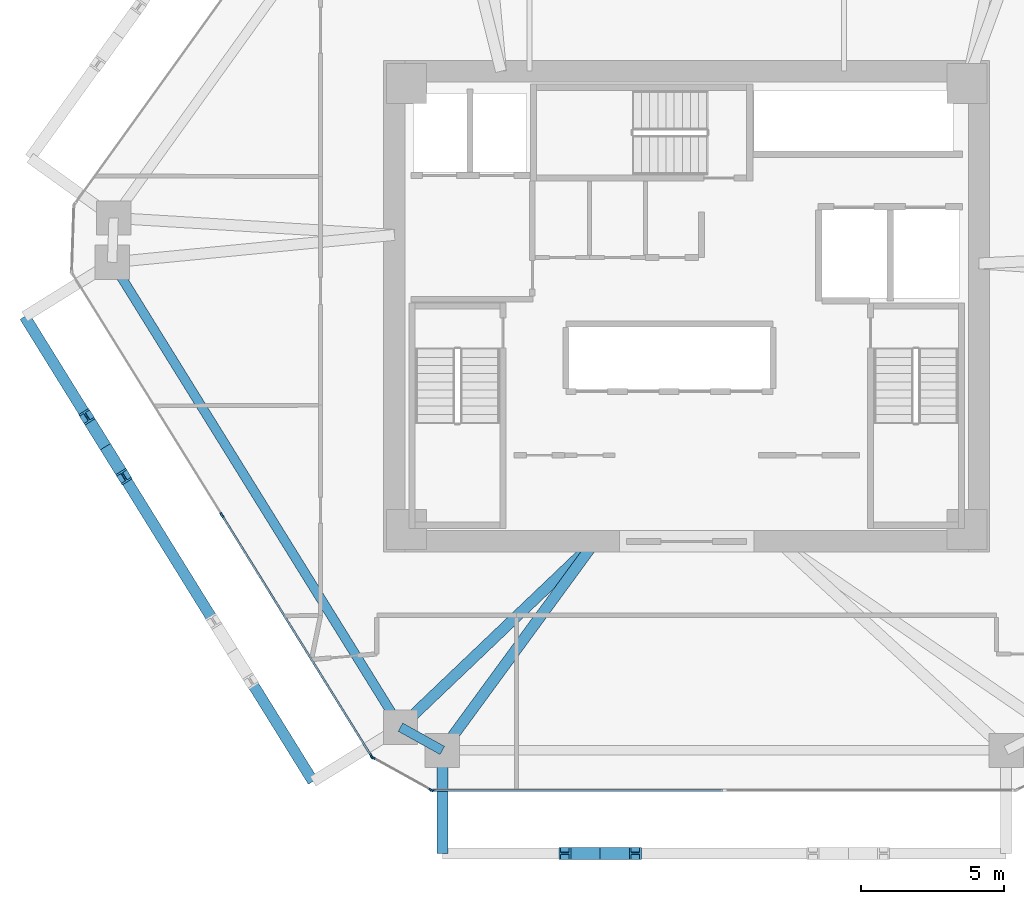
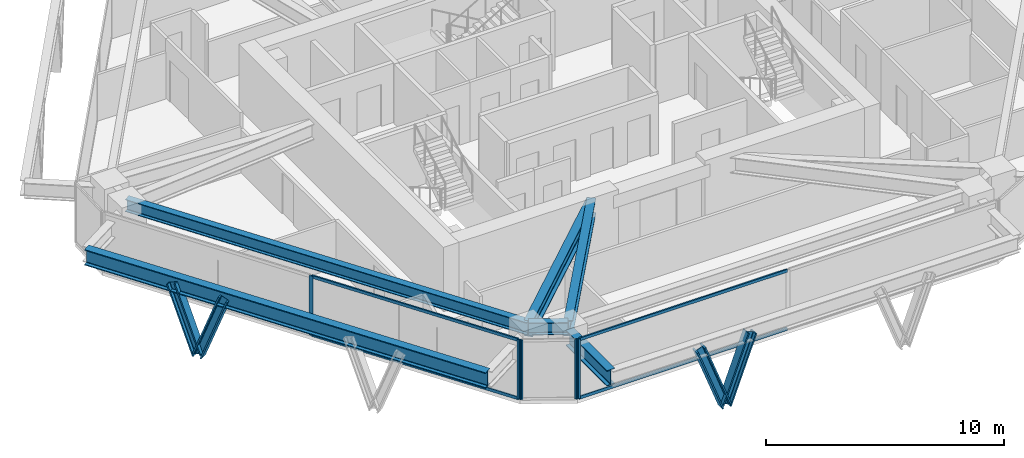
# One storey, part 2 of 13: 13 members, 6 beams, 3 elements without a shape of their own.
"""IFC4 building model written with IfcOpenShell, lengths in metres."""

import ifcopenshell
import ifcopenshell.guid

model = None  # the IFC model being written
_history = None  # IfcOwnerHistory: only IFC2X3 demands one
_inside = {}  # id of a spatial element -> (the spatial element, [elements in it])
_under = {}  # id of a project, library or spatial element -> (it, [spatial elements below it])
_declared = {}  # id of a project -> (the project, [libraries it declares])
_typed = {}  # id of a type object -> (the type object, [elements of that type])
_made_of = {}  # id of a material, layer set ... -> (it, [elements and type objects made of it])


def new_model(schema):
    """Start an empty IFC model of exactly this schema.

    Asked for "IFC4X3", IfcOpenShell would pick the latest addendum, in which some entities
    have other attributes; the version numbers below select the first issue.
    IFC2X3 requires an IfcOwnerHistory on every rooted entity: one is made here for all.
    """
    global model, _history
    if schema == "IFC4X3":
        model = ifcopenshell.file(schema_version=(4, 3, 0, 0))
    else:
        model = ifcopenshell.file(schema=schema)
    _inside.clear()
    _under.clear()
    _declared.clear()
    _typed.clear()
    _made_of.clear()
    _history = None
    if model.schema == "IFC2X3":
        org = make("IfcOrganization", Name="unknown")
        user = make(
            "IfcPersonAndOrganization",
            ThePerson=make("IfcPerson", FamilyName="unknown"),
            TheOrganization=org,
        )
        app = make(
            "IfcApplication",
            ApplicationDeveloper=org,
            Version="unknown",
            ApplicationFullName="unknown",
            ApplicationIdentifier="unknown",
        )
        _history = make(
            "IfcOwnerHistory",
            OwningUser=user,
            OwningApplication=app,
            ChangeAction="ADDED",
            CreationDate=0,
        )
    return model


def make(cls, **values):
    """One entity of the class cls with the attributes given. An attribute that is None is left unset."""
    return model.create_entity(
        cls, **{name: value for name, value in values.items() if value is not None}
    )


def rooted(cls, **values):
    """An entity with a GlobalId (a new one), such as an element, a storey or a relation."""
    return make(cls, GlobalId=ifcopenshell.guid.new(), OwnerHistory=_history, **values)


def si_unit(unit_type, name, prefix=None):
    """IfcSIUnit, for example si_unit("LENGTHUNIT", "METRE", prefix="MILLI")."""
    return make("IfcSIUnit", UnitType=unit_type, Prefix=prefix, Name=name)


def assignment(units):
    """IfcUnitAssignment: the units of a project."""
    return None if units is None else make("IfcUnitAssignment", Units=units)


def point(xyz):
    """IfcCartesianPoint."""
    return None if xyz is None else make("IfcCartesianPoint", Coordinates=xyz)


def direction(xyz):
    """IfcDirection."""
    return None if xyz is None else make("IfcDirection", DirectionRatios=xyz)


def frame(location, z_axis=None, x_axis=None):
    """IfcAxis2Placement3D, a coordinate frame: its origin and axes. An axis left out is left unset."""
    return make(
        "IfcAxis2Placement3D",
        Location=point(location),
        Axis=direction(z_axis),
        RefDirection=direction(x_axis),
    )


def frame_2d(location, x_axis=None):
    """IfcAxis2Placement2D, a coordinate frame in the plane: its origin and x axis."""
    return make(
        "IfcAxis2Placement2D", Location=point(location), RefDirection=direction(x_axis)
    )


def origin():
    """The frame at (0, 0, 0) with its axes left unset."""
    return frame((0.0, 0.0, 0.0))


def origin_2d():
    """The frame at (0, 0) in the plane with its x axis left unset."""
    return frame_2d((0.0, 0.0))


def place(relative_to, where):
    """IfcLocalPlacement: puts the frame where relative to a parent placement (None: the world)."""
    return make(
        "IfcLocalPlacement", PlacementRelTo=relative_to, RelativePlacement=where
    )


def context(
    kind, dimensions, precision=None, world=None, true_north=None, identifier=None
):
    """IfcGeometricRepresentationContext, for example the 3D "Model" context."""
    return make(
        "IfcGeometricRepresentationContext",
        ContextIdentifier=identifier,
        ContextType=kind,
        CoordinateSpaceDimension=dimensions,
        Precision=precision,
        WorldCoordinateSystem=world,
        TrueNorth=true_north,
    )


def subcontext(parent, identifier, kind, view, scale=None):
    """IfcGeometricRepresentationSubContext, for example "Body" below "Model"."""
    return make(
        "IfcGeometricRepresentationSubContext",
        ContextIdentifier=identifier,
        ContextType=kind,
        ParentContext=parent,
        TargetScale=scale,
        TargetView=view,
    )


def project(units=None, contexts=None):
    """IfcProject with its units and contexts."""
    return rooted(
        "IfcProject",
        Name="project",
        RepresentationContexts=contexts,
        UnitsInContext=assignment(units),
    )


def spatial(cls, under=None, at=None, **own):
    """A site, building, storey or space (cls), placed at a placement, below another one or the project."""
    s = rooted(cls, ObjectPlacement=at, **own)
    if under is not None:
        _under.setdefault(under.id(), (under, []))[1].append(s)
    return s


def profile(cls, at=None, kind="AREA", **sizes):
    """A parametric profile (cls). Its sizes go by their IFC names, for example OverallWidth=200.0."""
    return make(cls, ProfileType=kind, Position=at, **sizes)


def rectangle(**sizes):
    """IfcRectangleProfileDef."""
    return profile("IfcRectangleProfileDef", **sizes)


def i_section(**sizes):
    """IfcIShapeProfileDef."""
    return profile("IfcIShapeProfileDef", **sizes)


def extrude(swept, where, along, depth):
    """IfcExtrudedAreaSolid: the profile swept, set in the frame where, extruded along a direction by depth."""
    return make(
        "IfcExtrudedAreaSolid",
        SweptArea=swept,
        Position=where,
        ExtrudedDirection=direction(along),
        Depth=depth,
    )


def shape(context_of_items, identifier, shape_type, items):
    """IfcShapeRepresentation: the items that make up one representation, for example the "Body"."""
    return make(
        "IfcShapeRepresentation",
        ContextOfItems=context_of_items,
        RepresentationIdentifier=identifier,
        RepresentationType=shape_type,
        Items=items,
    )


def source(mapping_origin, context_of_items, identifier, shape_type, items):
    """IfcRepresentationMap: a shape defined once, which mapped items show again and again."""
    return make(
        "IfcRepresentationMap",
        MappingOrigin=mapping_origin,
        MappedRepresentation=shape(context_of_items, identifier, shape_type, items),
    )


def transform(
    local_origin,
    x_axis=None,
    y_axis=None,
    z_axis=None,
    scale=None,
    scale2=None,
    scale3=None,
    uniform=True,
):
    """IfcCartesianTransformationOperator3D, or its non-uniform kind. x_axis, y_axis, z_axis: its Axis1, 2, 3."""
    if uniform:
        return make(
            "IfcCartesianTransformationOperator3D",
            Axis1=direction(x_axis),
            Axis2=direction(y_axis),
            LocalOrigin=point(local_origin),
            Scale=scale,
            Axis3=direction(z_axis),
        )
    return make(
        "IfcCartesianTransformationOperator3DnonUniform",
        Axis1=direction(x_axis),
        Axis2=direction(y_axis),
        LocalOrigin=point(local_origin),
        Scale=scale,
        Axis3=direction(z_axis),
        Scale2=scale2,
        Scale3=scale3,
    )


def mapped(mapping_source, mapping_target):
    """IfcMappedItem: shows the shape of a source again, moved by a transform."""
    return make(
        "IfcMappedItem", MappingSource=mapping_source, MappingTarget=mapping_target
    )


def material(Name=None, Category=None):
    """IfcMaterial."""
    return make("IfcMaterial", Name=Name, Category=Category)


def layer(
    of_material, thickness, ventilated=None, Name=None, Category=None, Priority=None
):
    """IfcMaterialLayer: one layer of a wall or slab, of a material (None: an air gap)."""
    return make(
        "IfcMaterialLayer",
        Material=of_material,
        LayerThickness=thickness,
        IsVentilated=ventilated,
        Name=Name,
        Category=Category,
        Priority=Priority,
    )


def layer_set(layers, Name=None):
    """IfcMaterialLayerSet."""
    return make("IfcMaterialLayerSet", MaterialLayers=layers, LayerSetName=Name)


def material_profile(
    of_material, cross_section, Name=None, Category=None, Priority=None
):
    """IfcMaterialProfile: a cross section and its material."""
    return make(
        "IfcMaterialProfile",
        Name=Name,
        Material=of_material,
        Profile=cross_section,
        Priority=Priority,
        Category=Category,
    )


def profile_set(profiles, Name=None, composite=None):
    """IfcMaterialProfileSet."""
    return make(
        "IfcMaterialProfileSet",
        Name=Name,
        MaterialProfiles=profiles,
        CompositeProfile=composite,
    )


def made_of(thing, what):
    """Note that an element or type object is made of a material, layer set ...; save() writes the relation."""
    if what is not None:
        _made_of.setdefault(what.id(), (what, []))[1].append(thing)
    return thing


def type_object(cls, material=None, **own):
    """A type object (cls), such as IfcWallType, which elements share."""
    return made_of(rooted(cls, **own), material)


def type_shapes(of_type, sources):
    """Give a type object the sources (RepresentationMaps) that its elements show as mapped items."""
    of_type.RepresentationMaps = sources


def element(
    cls,
    number,
    at=None,
    inside=None,
    cuts=None,
    type_object=None,
    material=None,
    context=None,
    identifier="Body",
    shape_type=None,
    held_by="IfcProductDefinitionShape",
    body=None,
    shapes=None,
    **own,
):
    """One element of the class cls, such as IfcWall. Its Tag is "e" and its number.

    at: its placement. inside: the storey or other place that contains it. cuts: it is an
    opening in that element (IfcRelVoidsElement). A single representation is given by context,
    identifier, shape_type and body (its items); several are given by shapes. held_by: the class
    of the entity that holds the representations. save() writes the other relations.
    """
    e = rooted(cls, Tag="e%d" % number, ObjectPlacement=at, **own)
    if body is not None:
        shapes = [shape(context, identifier, shape_type, body)]
    if shapes is not None:
        e.Representation = make(held_by, Representations=shapes)
    if inside is not None:
        _inside.setdefault(inside.id(), (inside, []))[1].append(e)
    if cuts is not None:
        rooted(
            "IfcRelVoidsElement", RelatingBuildingElement=cuts, RelatedOpeningElement=e
        )
    if type_object is not None:
        _typed.setdefault(type_object.id(), (type_object, []))[1].append(e)
    return made_of(e, material)


def aggregate(whole, parts):
    """IfcRelAggregates: a whole, such as a stair, and the parts it consists of."""
    return rooted("IfcRelAggregates", RelatingObject=whole, RelatedObjects=parts)


def save(model, path):
    """Write the relations noted so far, then the file.

    IfcRelAggregates (storeys below a building ...), IfcRelContainedInSpatialStructure (elements
    in a storey), IfcRelDefinesByType, IfcRelAssociatesMaterial and IfcRelDeclares: one each for
    every whole, place, type object, material and project.
    """
    for whole, parts in _under.values():
        aggregate(whole, parts)
    for where, things in _inside.values():
        rooted(
            "IfcRelContainedInSpatialStructure",
            RelatedElements=things,
            RelatingStructure=where,
        )
    for kind, things in _typed.values():
        rooted("IfcRelDefinesByType", RelatedObjects=things, RelatingType=kind)
    for what, things in _made_of.values():
        rooted("IfcRelAssociatesMaterial", RelatedObjects=things, RelatingMaterial=what)
    for by, libraries in _declared.values():
        rooted("IfcRelDeclares", RelatingContext=by, RelatedDefinitions=libraries)
    model.write(path)


model = new_model("IFC4")

# Units and contexts
model_context = context("Model", 3, precision=1e-05, world=origin(), true_north=direction((0.0, 1.0)))
body_context = subcontext(model_context, "Body", "Model", "MODEL_VIEW")
ifc_project = project(units=[si_unit("LENGTHUNIT", "METRE"), si_unit("AREAUNIT", "SQUARE_METRE"), si_unit("VOLUMEUNIT", "CUBIC_METRE"), si_unit("PLANEANGLEUNIT", "RADIAN"), si_unit("MASSUNIT", "GRAM", prefix="KILO")], contexts=[model_context])

# Site, building, storey
site_placement = place(None, origin())
site = spatial("IfcSite", under=ifc_project, at=site_placement, CompositionType="ELEMENT")
building_placement = place(site_placement, origin())
building = spatial("IfcBuilding", under=site, at=building_placement, Name="Durnholm Broadcast Tower", CompositionType="ELEMENT")
storey_placement = place(building_placement, frame((0.0, 0.0, 133.800048828125)))
storey = spatial("IfcBuildingStorey", under=building, at=storey_placement, Name="L36", CompositionType="ELEMENT", Elevation=133.800048828125)

# Beams
ifc_material_1 = material(Name="Steel ASTM A992 Grade 50", Category="steel")
ifc_material_profile_1 = material_profile(ifc_material_1, i_section(OverallWidth=0.385009765625, OverallDepth=0.802978515625, WebThickness=0.023681640625, FlangeThickness=0.0419921875, FilletRadius=0.032958984375, at=origin_2d()), Name="W30X261")
ifc_profile_set_1 = profile_set([ifc_material_profile_1], Name="Steel ASTM A992 Grade 50")
beam_type_1 = type_object("IfcBeamType", Name="BM-EXO-TIE", PredefinedType="USERDEFINED", material=ifc_profile_set_1)
shared_shape_1 = source(origin(), body_context, "Body", "SweptSolid", [
    extrude(i_section(OverallWidth=0.385009765625, OverallDepth=0.802978515625, WebThickness=0.023681640625, FlangeThickness=0.0419921875, FilletRadius=0.032958984375, at=origin_2d()), origin(), (0.0, 0.0, 1.0), 3.4560546875),
])
beam_1_placement = place(storey_placement, frame((-8.552001953125, -15.680908203125, 2.30859375), z_axis=(0.0, -1.0, 0.0), x_axis=(1.0, 0.0, 0.0)))
element("IfcBeam", 1, at=beam_1_placement, inside=storey, type_object=beam_type_1, Name="L36 exoskeleton stand-off tie bracket F1.1", ObjectType="GIRDER", PredefinedType="USERDEFINED", context=body_context, shape_type="MappedRepresentation", body=[
    mapped(shared_shape_1, transform((0.0, 0.0, 0.0), x_axis=(1.0, 0.0, 0.0), y_axis=(0.0, 1.0, 0.0), z_axis=(0.0, 0.0, 1.0), scale=1.0)),
])
ifc_material_profile_2 = material_profile(ifc_material_1, i_section(OverallWidth=0.3291015625, OverallDepth=0.635009765625, WebThickness=0.017822265625, FlangeThickness=0.031005859375, FilletRadius=0.02783203125, at=origin_2d()), Name="W24X162")
ifc_profile_set_2 = profile_set([ifc_material_profile_2], Name="Steel ASTM A992 Grade 50")
beam_type_2 = type_object("IfcBeamType", Name="STL-SP-W24X162", PredefinedType="SPANDREL", material=ifc_profile_set_2)
shared_shape_2 = source(origin(), body_context, "Body", "SweptSolid", [
    extrude(i_section(OverallWidth=0.3291015625, OverallDepth=0.635009765625, WebThickness=0.017822265625, FlangeThickness=0.031005859375, FilletRadius=0.02783203125, at=origin_2d()), origin(), (0.0, 0.0, 1.0), 19.1396484375),
])
beam_2_placement = place(storey_placement, frame((-10.01416015625, -14.723388671875, 2.7275390625), z_axis=(-0.527105324954, 0.849799962582, 0.0), x_axis=(-0.849799962582, -0.527105324954, 0.0)))
element("IfcBeam", 2, at=beam_2_placement, inside=storey, type_object=beam_type_2, Name="L36 perimeter spandrel girder 01", PredefinedType="SPANDREL", context=body_context, shape_type="MappedRepresentation", body=[
    mapped(shared_shape_2, transform((0.0, 0.0, 0.0), x_axis=(1.0, 0.0, 0.0), y_axis=(0.0, 1.0, 0.0), z_axis=(0.0, 0.0, 1.0), scale=1.0)),
])
shared_shape_3 = source(origin(), body_context, "Body", "SweptSolid", [
    extrude(i_section(OverallWidth=0.3291015625, OverallDepth=0.635009765625, WebThickness=0.017822265625, FlangeThickness=0.031005859375, FilletRadius=0.02783203125, at=origin_2d()), origin(), (0.0, 0.0, 1.0), 1.67333984375),
])
type_shapes(beam_type_2, [shared_shape_2, shared_shape_3])
beam_3_placement = place(storey_placement, frame((-8.552001953125, -15.537109375, 2.7275390625), z_axis=(-0.873799169188, 0.486286964586, 0.0), x_axis=(-0.486286964586, -0.873799169188, 0.0)))
element("IfcBeam", 3, at=beam_3_placement, inside=storey, type_object=beam_type_2, Name="L36 perimeter spandrel girder 12", PredefinedType="SPANDREL", context=body_context, shape_type="MappedRepresentation", body=[
    mapped(shared_shape_3, transform((0.0, 0.0, 0.0), x_axis=(1.0, 0.0, 0.0), y_axis=(0.0, 1.0, 0.0), z_axis=(0.0, 0.0, 1.0), scale=1.0)),
])
ifc_material_profile_3 = material_profile(ifc_material_1, i_section(OverallWidth=0.385009765625, OverallDepth=0.802978515625, WebThickness=0.023681640625, FlangeThickness=0.0419921875, FilletRadius=0.032958984375, at=origin_2d()), Name="W30X261")
ifc_profile_set_3 = profile_set([ifc_material_profile_3], Name="Steel ASTM A992 Grade 50")
beam_type_3 = type_object("IfcBeamType", Name="STL-GR-W30X261", PredefinedType="USERDEFINED", material=ifc_profile_set_3)
shared_shape_4 = source(origin(), body_context, "Body", "SweptSolid", [
    extrude(i_section(OverallWidth=0.385009765625, OverallDepth=0.802978515625, WebThickness=0.023681640625, FlangeThickness=0.0419921875, FilletRadius=0.032958984375, at=origin_2d()), origin(), (0.0, 0.0, 1.0), 9.416015625),
])
beam_4_placement = place(storey_placement, frame((-3.199951171875, -8.22509765625, 2.6435546875), z_axis=(-0.723683335801, -0.690132182617, 0.0), x_axis=(0.690132182617, -0.723683335801, 0.0)))
element("IfcBeam", 4, at=beam_4_placement, inside=storey, type_object=beam_type_3, Name="L36 radial primary floor girder 01", ObjectType="GIRDER", PredefinedType="USERDEFINED", context=body_context, shape_type="MappedRepresentation", body=[
    mapped(shared_shape_4, transform((0.0, 0.0, 0.0), x_axis=(1.0, 0.0, 0.0), y_axis=(0.0, 1.0, 0.0), z_axis=(0.0, 0.0, 1.0), scale=1.0)),
])
shared_shape_5 = source(origin(), body_context, "Body", "SweptSolid", [
    extrude(i_section(OverallWidth=0.385009765625, OverallDepth=0.802978515625, WebThickness=0.023681640625, FlangeThickness=0.0419921875, FilletRadius=0.032958984375, at=origin_2d()), origin(), (0.0, 0.0, 1.0), 9.0615234375),
])
type_shapes(beam_type_3, [shared_shape_4, shared_shape_5])
beam_5_placement = place(storey_placement, frame((-3.199951171875, -8.22509765625, 2.6435546875), z_axis=(-0.590639241086, -0.806935739008, 0.0), x_axis=(0.806935739008, -0.590639241086, 0.0)))
element("IfcBeam", 5, at=beam_5_placement, inside=storey, type_object=beam_type_3, Name="L36 radial primary floor girder 12", ObjectType="GIRDER", PredefinedType="USERDEFINED", context=body_context, shape_type="MappedRepresentation", body=[
    mapped(shared_shape_5, transform((0.0, 0.0, 0.0), x_axis=(1.0, 0.0, 0.0), y_axis=(0.0, 1.0, 0.0), z_axis=(0.0, 0.0, 1.0), scale=1.0)),
])
shared_shape_6 = source(origin(), body_context, "Body", "SweptSolid", [
    extrude(i_section(OverallWidth=0.385009765625, OverallDepth=0.802978515625, WebThickness=0.023681640625, FlangeThickness=0.0419921875, FilletRadius=0.032958984375, at=origin_2d()), origin(), (0.0, 0.0, 1.0), 19.139404296875),
])
type_shapes(beam_type_1, [shared_shape_1, shared_shape_6])
beam_6_placement = place(storey_placement, frame((-23.162109375, -0.356201171875, 2.30859375), z_axis=(0.527111038734, -0.84979641847, 0.0), x_axis=(0.84979641847, 0.527111038734, 0.0)))
element("IfcBeam", 6, at=beam_6_placement, inside=storey, type_object=beam_type_1, Name="L36 exoskeleton collector spandrel F6", PredefinedType="SPANDREL", context=body_context, shape_type="MappedRepresentation", body=[
    mapped(shared_shape_6, transform((0.0, 0.0, 0.0), x_axis=(1.0, 0.0, 0.0), y_axis=(0.0, 1.0, 0.0), z_axis=(0.0, 0.0, 1.0), scale=1.0)),
])

# Members
ifc_material_2 = material(Name="Steel ASTM A913 Grade 65", Category="steel")
ifc_material_profile_4 = material_profile(ifc_material_2, i_section(OverallWidth=0.41845703125, OverallDepth=0.455078125, WebThickness=0.0419921875, FlangeThickness=0.067626953125, FilletRadius=0.030517578125, at=origin_2d()), Name="W14X370")
ifc_profile_set_4 = profile_set([ifc_material_profile_4], Name="Steel ASTM A913 Grade 65")
member_type_1 = type_object("IfcMemberType", Name="STL-DG-W14X370", PredefinedType="BRACE", material=ifc_profile_set_4)
shared_shape_7 = source(origin(), body_context, "Body", "SweptSolid", [
    extrude(i_section(OverallWidth=0.41845703125, OverallDepth=0.455078125, WebThickness=0.0419921875, FlangeThickness=0.067626953125, FilletRadius=0.030517578125, at=origin_2d()), origin(), (0.0, 0.0, 1.0), 3.523193359375),
])
type_shapes(member_type_1, [shared_shape_7])
for number, where, z_axis, x_axis, name in (
    (7, (-3.028076171875, -19.136962890625, -0.991455078125), (-0.350219588454, 0.0, 0.936667625075), (0.0, -1.0, 0.0), "L36 stand-off diagrid brace F1.D1.1"),
    (8, (-3.028076171875, -19.136962890625, -0.991455078125), (0.350219588454, 0.0, 0.936667625075), (0.0, 1.0, 0.0), "L36 stand-off diagrid brace F1.D1.2"),
    (9, (-20.337158203125, -4.910400390625, -0.991455078125), (-0.184602835855, 0.297623566065, 0.936665364961), (-0.849805205368, -0.527096872433, 0.0), "L36 stand-off diagrid brace F6.D1.1"),
    (10, (-20.337158203125, -4.910400390625, -0.991455078125), (0.184606642766, -0.297560406921, 0.936684681032), (0.849750220063, 0.527185511469, 0.0), "L36 stand-off diagrid brace F6.D1.2"),
):
    element("IfcMember", number, at=place(storey_placement, frame(where, z_axis=z_axis, x_axis=x_axis)), inside=storey, type_object=member_type_1, Name=name, PredefinedType="BRACE", context=body_context, shape_type="MappedRepresentation", body=[
        mapped(shared_shape_7, transform((0.0, 0.0, 0.0), x_axis=(1.0, 0.0, 0.0), y_axis=(0.0, 1.0, 0.0), z_axis=(0.0, 0.0, 1.0), scale=1.0)),
    ])

# Curtain wall, members
ifc_material_3 = material(Name="Aluminium and Solar Control IGU", Category="aluminium")
ifc_layer_1 = layer(ifc_material_3, 0.1650390625)
ifc_layer_set_1 = layer_set([ifc_layer_1], Name="Aluminium and Solar Control IGU")
curtain_wall_type_1 = type_object("IfcCurtainWallType", Name="CW-SYS-5", PredefinedType="NOTDEFINED", material=ifc_layer_set_1)
curtain_wall_1_placement = place(storey_placement, origin())
curtain_wall_1 = element("IfcCurtainWall", 11, at=curtain_wall_1_placement, inside=storey, type_object=curtain_wall_type_1, Name="L36 curtain wall CW-CORNER CW-L36-CRN-11", PredefinedType="NOTDEFINED")
ifc_material_4 = material(Name="Aluminium 6063-T6", Category="aluminium")
ifc_material_profile_5 = material_profile(ifc_material_4, rectangle(XDim=0.06494140625, YDim=0.1650390625, at=origin_2d()), Name="CWM65X165")
ifc_profile_set_5 = profile_set([ifc_material_profile_5], Name="Aluminium 6063-T6")
member_type_2 = type_object("IfcMemberType", Name="CW-SYS-5-MUL", PredefinedType="MULLION", material=ifc_profile_set_5)
shared_shape_8 = source(origin(), body_context, "Body", "SweptSolid", [
    extrude(rectangle(XDim=0.06494140625, YDim=0.1650390625, at=origin_2d()), origin(), (0.0, 0.0, 1.0), 3.06005859375),
])
type_shapes(member_type_2, [shared_shape_8])
member_1_placement = place(storey_placement, frame((-8.943603515625, -16.921142578125, 0.0), z_axis=(0.0, 0.0, 1.0), x_axis=(-0.486244224192, -0.873822953715, 0.0)))
member_1 = element("IfcMember", 12, at=member_1_placement, type_object=member_type_2, Name="CW-CORNER mullion 1", PredefinedType="MULLION", context=body_context, shape_type="MappedRepresentation", body=[
    mapped(shared_shape_8, transform((0.0, 0.0, 0.0), x_axis=(1.0, 0.0, 0.0), y_axis=(0.0, 1.0, 0.0), z_axis=(0.0, 0.0, 1.0), scale=1.0)),
])
member_2_placement = place(storey_placement, frame((-10.98388671875, -15.785888671875, 0.0), z_axis=(0.0, 0.0, 1.0), x_axis=(-0.486244224192, -0.873822953715, 0.0)))
member_2 = element("IfcMember", 13, at=member_2_placement, type_object=member_type_2, Name="CW-CORNER mullion 2", PredefinedType="MULLION", context=body_context, shape_type="MappedRepresentation", body=[
    mapped(shared_shape_8, transform((0.0, 0.0, 0.0), x_axis=(1.0, 0.0, 0.0), y_axis=(0.0, 1.0, 0.0), z_axis=(0.0, 0.0, 1.0), scale=1.0)),
])
aggregate(curtain_wall_1, [member_1, member_2])

# Curtain wall, member
ifc_layer_2 = layer(ifc_material_3, 0.18994140625)
ifc_layer_set_2 = layer_set([ifc_layer_2], Name="Aluminium and Solar Control IGU")
curtain_wall_type_2 = type_object("IfcCurtainWallType", Name="CW-SYS-3", PredefinedType="NOTDEFINED", material=ifc_layer_set_2)
curtain_wall_2_placement = place(storey_placement, origin())
curtain_wall_2 = element("IfcCurtainWall", 14, at=curtain_wall_2_placement, inside=storey, type_object=curtain_wall_type_2, Name="L36 curtain wall CW-Z12-VIS CW-L36-F10", PredefinedType="NOTDEFINED")
ifc_material_profile_6 = material_profile(ifc_material_4, rectangle(XDim=0.070068359375, YDim=0.18994140625, at=origin_2d()), Name="CWM70X190")
ifc_profile_set_6 = profile_set([ifc_material_profile_6], Name="Aluminium 6063-T6")
member_type_3 = type_object("IfcMemberType", Name="CW-SYS-3-MUL", PredefinedType="MULLION", material=ifc_profile_set_6)
shared_shape_9 = source(origin(), body_context, "Body", "SweptSolid", [
    extrude(rectangle(XDim=0.070068359375, YDim=0.18994140625, at=origin_2d()), origin(), (0.0, 0.0, 1.0), 3.06005859375),
])
type_shapes(member_type_3, [shared_shape_9])
member_3_placement = place(storey_placement, frame((-8.880126953125, -16.93701171875, 0.0), z_axis=(0.0, 0.0, 1.0), x_axis=(0.0, -1.0, 0.0)))
member_3 = element("IfcMember", 15, at=member_3_placement, type_object=member_type_3, Name="CW-Z12-VIS mullion 3", PredefinedType="MULLION", context=body_context, shape_type="MappedRepresentation", body=[
    mapped(shared_shape_9, transform((0.0, 0.0, 0.0), x_axis=(1.0, 0.0, 0.0), y_axis=(0.0, 1.0, 0.0), z_axis=(0.0, 0.0, 1.0), scale=1.0)),
])

# Curtain wall, members
curtain_wall_3_placement = place(storey_placement, origin())
curtain_wall_3 = element("IfcCurtainWall", 16, at=curtain_wall_3_placement, inside=storey, type_object=curtain_wall_type_2, Name="L36 curtain wall CW-Z12-VIS CW-L36-F12", PredefinedType="NOTDEFINED")
member_4_placement = place(storey_placement, frame((-11.03076171875, -15.740234375, 0.0), z_axis=(0.0, 0.0, 1.0), x_axis=(-0.849799925229, -0.527105385176, 0.0)))
member_4 = element("IfcMember", 17, at=member_4_placement, type_object=member_type_3, Name="CW-Z12-VIS mullion 1", PredefinedType="MULLION", context=body_context, shape_type="MappedRepresentation", body=[
    mapped(shared_shape_9, transform((0.0, 0.0, 0.0), x_axis=(1.0, 0.0, 0.0), y_axis=(0.0, 1.0, 0.0), z_axis=(0.0, 0.0, 1.0), scale=1.0)),
])
member_5_placement = place(storey_placement, frame((-16.264404296875, -7.302734375, 0.0), z_axis=(0.0, 0.0, 1.0), x_axis=(-0.849799925229, -0.527105385176, 0.0)))
member_5 = element("IfcMember", 18, at=member_5_placement, type_object=member_type_3, Name="CW-Z12-VIS mullion 2", PredefinedType="MULLION", context=body_context, shape_type="MappedRepresentation", body=[
    mapped(shared_shape_9, transform((0.0, 0.0, 0.0), x_axis=(1.0, 0.0, 0.0), y_axis=(0.0, 1.0, 0.0), z_axis=(0.0, 0.0, 1.0), scale=1.0)),
])

# Member
ifc_material_profile_7 = material_profile(ifc_material_4, rectangle(XDim=0.070068359375, YDim=0.14990234375, at=origin_2d()), Name="CWT70X150")
ifc_profile_set_7 = profile_set([ifc_material_profile_7], Name="Aluminium 6063-T6")
member_type_4 = type_object("IfcMemberType", Name="CW-SYS-3-TRN", PredefinedType="USERDEFINED", material=ifc_profile_set_7)
shared_shape_10 = source(origin(), body_context, "Body", "SweptSolid", [
    extrude(rectangle(XDim=0.070068359375, YDim=0.14990234375, at=origin_2d()), origin(), (0.0, 0.0, 1.0), 10.109619140625),
])
member_6_placement = place(storey_placement, frame((1.264404296875, -16.93701171875, 0.034912109375), z_axis=(-1.0, 0.0, 0.0), x_axis=(0.0, -1.0, 0.0)))
member_6 = element("IfcMember", 19, at=member_6_placement, type_object=member_type_4, Name="CW-Z12-VIS transom 2.1", ObjectType="TRANSOM", PredefinedType="USERDEFINED", context=body_context, shape_type="MappedRepresentation", body=[
    mapped(shared_shape_10, transform((0.0, 0.0, 0.0), x_axis=(1.0, 0.0, 0.0), y_axis=(0.0, 1.0, 0.0), z_axis=(0.0, 0.0, 1.0), scale=1.0)),
])

member_7_placement = place(storey_placement, frame((1.264404296875, -16.93701171875, 3.02490234375), z_axis=(-1.0, 0.0, 0.0), x_axis=(0.0, -1.0, 0.0)))
member_7 = element("IfcMember", 20, at=member_7_placement, type_object=member_type_4, Name="CW-Z12-VIS transom 2.2", ObjectType="TRANSOM", PredefinedType="USERDEFINED", context=body_context, shape_type="MappedRepresentation", body=[
    mapped(shared_shape_10, transform((0.0, 0.0, 0.0), x_axis=(1.0, 0.0, 0.0), y_axis=(0.0, 1.0, 0.0), z_axis=(0.0, 0.0, 1.0), scale=1.0)),
])

aggregate(curtain_wall_2, [member_3, member_6, member_7])

shared_shape_11 = source(origin(), body_context, "Body", "SweptSolid", [
    extrude(rectangle(XDim=0.070068359375, YDim=0.14990234375, at=origin_2d()), origin(), (0.0, 0.0, 1.0), 9.858642578125),
])
type_shapes(member_type_4, [shared_shape_10, shared_shape_11])
member_8_placement = place(storey_placement, frame((-11.04931640625, -15.71044921875, 0.034912109375), z_axis=(-0.527102081419, 0.849801974441, 0.0), x_axis=(-0.849801974441, -0.527102081419, 0.0)))
member_8 = element("IfcMember", 21, at=member_8_placement, type_object=member_type_4, Name="CW-Z12-VIS transom 1.1", ObjectType="TRANSOM", PredefinedType="USERDEFINED", context=body_context, shape_type="MappedRepresentation", body=[
    mapped(shared_shape_11, transform((0.0, 0.0, 0.0), x_axis=(1.0, 0.0, 0.0), y_axis=(0.0, 1.0, 0.0), z_axis=(0.0, 0.0, 1.0), scale=1.0)),
])

member_9_placement = place(storey_placement, frame((-11.04931640625, -15.71044921875, 3.02490234375), z_axis=(-0.527102081419, 0.849801974441, 0.0), x_axis=(-0.849801974441, -0.527102081419, 0.0)))
member_9 = element("IfcMember", 22, at=member_9_placement, type_object=member_type_4, Name="CW-Z12-VIS transom 1.2", ObjectType="TRANSOM", PredefinedType="USERDEFINED", context=body_context, shape_type="MappedRepresentation", body=[
    mapped(shared_shape_11, transform((0.0, 0.0, 0.0), x_axis=(1.0, 0.0, 0.0), y_axis=(0.0, 1.0, 0.0), z_axis=(0.0, 0.0, 1.0), scale=1.0)),
])

aggregate(curtain_wall_3, [member_4, member_5, member_8, member_9])

save(model, "model.ifc")
